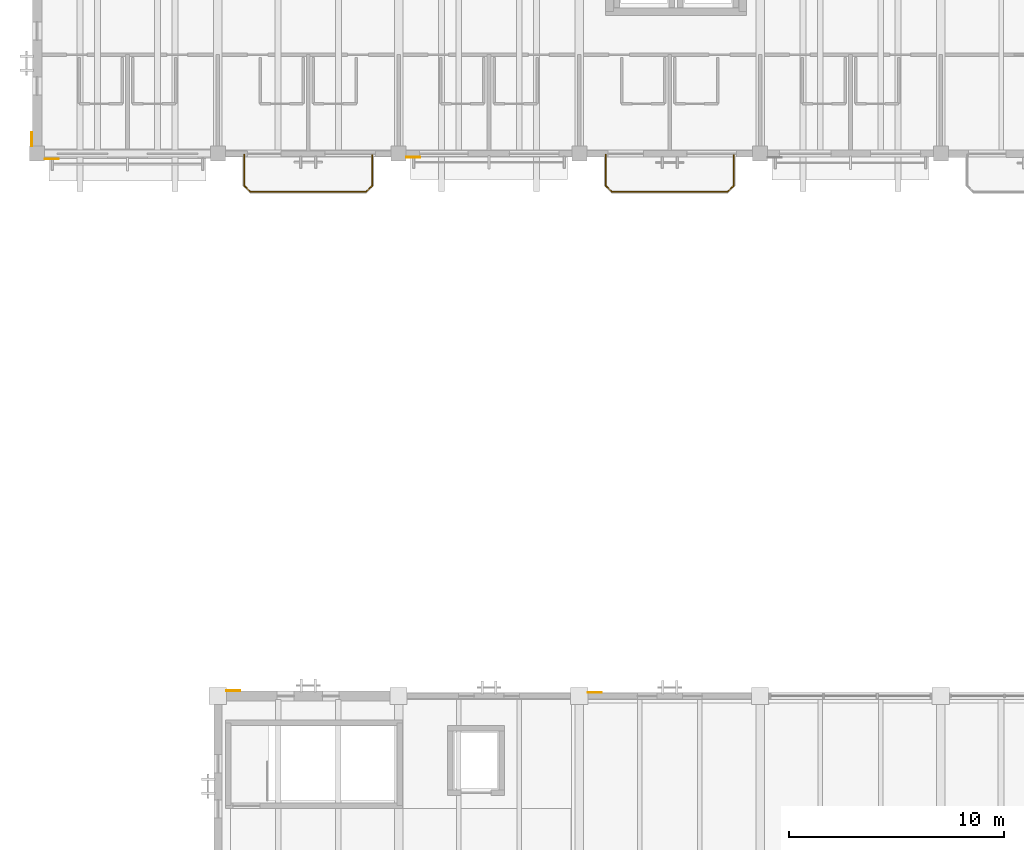
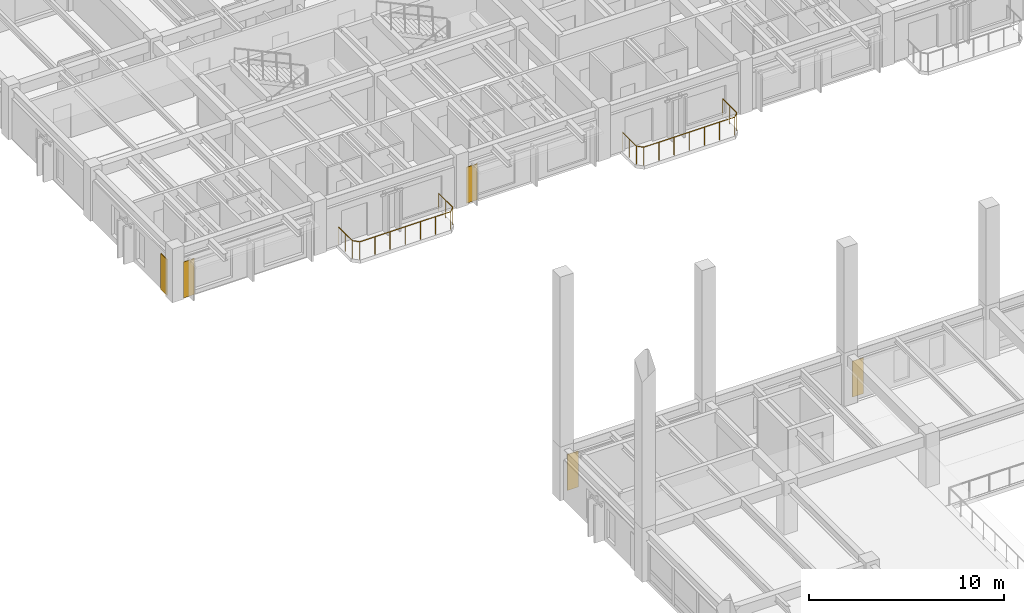
# One storey, part 58 of 64: 5 coverings, 2 railings.
"""IFC4 building model written with IfcOpenShell, lengths in metres."""

from ifc_helpers import new_model, si_unit, direction, frame, origin, origin_2d, place, context, subcontext, project, spatial, polyline, circle, outline, extrude, material, layer, layer_set, type_object, element, save


model = new_model("IFC4")

# Units and contexts
model_context = context("Model", 3, precision=1e-05, world=origin(), true_north=direction((0.0, 1.0)))
body_context = subcontext(model_context, "Body", "Model", "MODEL_VIEW")
ifc_project = project(units=[si_unit("LENGTHUNIT", "METRE"), si_unit("AREAUNIT", "SQUARE_METRE"), si_unit("VOLUMEUNIT", "CUBIC_METRE"), si_unit("PLANEANGLEUNIT", "RADIAN"), si_unit("MASSUNIT", "GRAM", prefix="KILO")], contexts=[model_context])

# Site, building, storey
site_placement = place(None, origin())
site = spatial("IfcSite", under=ifc_project, at=site_placement, CompositionType="ELEMENT")
building_placement = place(site_placement, origin())
building = spatial("IfcBuilding", under=site, at=building_placement, Name="Cumbredor Promenade Congress Hotel", CompositionType="ELEMENT")
storey_placement = place(building_placement, frame((0.0, 0.0, 18.47998046875)))
storey = spatial("IfcBuildingStorey", under=building, at=storey_placement, Name="L05", CompositionType="ELEMENT", Elevation=18.47998046875)

# Coverings
ifc_material_1 = material(Name="Precast concrete C40/50", Category="concrete")
ifc_layer_1 = layer(ifc_material_1, 0.044921875, Name="Precast concrete C40/50", Category="concrete")
ifc_layer_set_1 = layer_set([ifc_layer_1], Name="Precast concrete C40/50")
covering_type_1 = type_object("IfcCoveringType", Name="Board-Formed Architectural Cladding Panel 45mm", PredefinedType="CLADDING", material=ifc_layer_set_1)
covering_1_placement = place(storey_placement, origin())
element("IfcCovering", 1, at=covering_1_placement, inside=storey, type_object=covering_type_1, Name="L05 Facade Stone Cladding Pier 190", PredefinedType="CLADDING", context=body_context, shape_type="SweptSolid", body=[
    extrude(outline(polyline([(8.801025390625, 67.425048828125), (9.450927734375, 67.425048828125), (9.450927734375, 67.469970703125), (8.801025390625, 67.469970703125), (8.801025390625, 67.425048828125)])), origin(), (0.0, 0.0, 1.0), 2.25),
])
covering_2_placement = place(storey_placement, origin())
element("IfcCovering", 2, at=covering_2_placement, inside=storey, type_object=covering_type_1, Name="L05 Facade Stone Cladding Pier 198", PredefinedType="CLADDING", context=body_context, shape_type="SweptSolid", body=[
    extrude(outline(polyline([(17.15087890625, 92.260009765625), (17.801025390625, 92.260009765625), (17.801025390625, 92.215087890625), (17.15087890625, 92.215087890625), (17.15087890625, 92.260009765625)])), origin(), (0.0, 0.0, 1.0), 2.25),
])
covering_3_placement = place(storey_placement, origin())
element("IfcCovering", 3, at=covering_3_placement, inside=storey, type_object=covering_type_1, Name="L05 Facade Stone Cladding Pier 206", PredefinedType="CLADDING", context=body_context, shape_type="SweptSolid", body=[
    extrude(outline(polyline([(-0.22509765625, 92.7509765625), (-0.22509765625, 93.40087890625), (-0.27001953125, 93.40087890625), (-0.27001953125, 92.7509765625), (-0.22509765625, 92.7509765625)])), origin(), (0.0, 0.0, 1.0), 2.25),
])

# Railings
ifc_material_2 = material(Name="Brushed stainless steel", Category="steel")
railing_type_1 = type_object("IfcRailingType", Name="Sky Garden Glass-and-Steel Balustrade BAL-1150", PredefinedType="BALUSTRADE", material=ifc_material_2)
railing_1_placement = place(storey_placement, frame((26.429931640625, 92.35009765625, 0.0)))
element("IfcRailing", 4, at=railing_1_placement, inside=storey, type_object=railing_type_1, Name="L05 Veranda Balcony Balustrade 030", PredefinedType="BALUSTRADE", context=body_context, shape_type="SweptSolid", body=[
    extrude(circle(Radius=0.02392578125, at=origin_2d()), frame((0.0, 0.0, 1.1259765625), z_axis=(0.0, -1.0, 0.0), x_axis=(1.0, 0.0, 0.0)), (0.0, 0.0, 1.0), 1.440185546875),
    extrude(circle(Radius=0.02392578125, at=origin_2d()), frame((0.0, -1.440185546875, 1.1259765625), z_axis=(0.707106781187, -0.707106781187, 0.0), x_axis=(0.707106781187, 0.707106781187, 0.0)), (0.0, 0.0, 1.0), 0.39599609375),
    extrude(circle(Radius=0.02392578125, at=origin_2d()), frame((0.280029296875, -1.72021484375, 1.1259765625), z_axis=(1.0, 0.0, 0.0), x_axis=(0.0, 1.0, 0.0)), (0.0, 0.0, 1.0), 5.380126953125),
    extrude(circle(Radius=0.02392578125, at=origin_2d()), frame((5.66015625, -1.72021484375, 1.1259765625), z_axis=(0.707106781187, 0.707106781187, 0.0), x_axis=(-0.707106781187, 0.707106781187, 0.0)), (0.0, 0.0, 1.0), 0.39599609375),
    extrude(circle(Radius=0.02392578125, at=origin_2d()), frame((5.940185546875, -1.440185546875, 1.1259765625), z_axis=(0.0, 1.0, 0.0), x_axis=(-1.0, 0.0, 0.0)), (0.0, 0.0, 1.0), 1.440185546875),
    extrude(circle(Radius=0.02099609375, at=origin_2d()), origin(), (0.0, 0.0, 1.0), 1.101806640625),
    extrude(circle(Radius=0.02099609375, at=origin_2d()), frame((0.0, -0.72021484375, 0.0)), (0.0, 0.0, 1.0), 1.101806640625),
    extrude(circle(Radius=0.02099609375, at=origin_2d()), frame((0.0, -1.440185546875, 0.0)), (0.0, 0.0, 1.0), 1.101806640625),
    extrude(circle(Radius=0.02099609375, at=origin_2d()), frame((0.280029296875, -1.72021484375, 0.0)), (0.0, 0.0, 1.0), 1.101806640625),
    extrude(circle(Radius=0.02099609375, at=origin_2d()), frame((1.1767578125, -1.72021484375, 0.0)), (0.0, 0.0, 1.0), 1.101806640625),
    extrude(circle(Radius=0.02099609375, at=origin_2d()), frame((2.073486328125, -1.72021484375, 0.0)), (0.0, 0.0, 1.0), 1.101806640625),
    extrude(circle(Radius=0.02099609375, at=origin_2d()), frame((2.97021484375, -1.72021484375, 0.0)), (0.0, 0.0, 1.0), 1.101806640625),
    extrude(circle(Radius=0.02099609375, at=origin_2d()), frame((3.86669921875, -1.72021484375, 0.0)), (0.0, 0.0, 1.0), 1.101806640625),
    extrude(circle(Radius=0.02099609375, at=origin_2d()), frame((4.763427734375, -1.72021484375, 0.0)), (0.0, 0.0, 1.0), 1.101806640625),
    extrude(circle(Radius=0.02099609375, at=origin_2d()), frame((5.66015625, -1.72021484375, 0.0)), (0.0, 0.0, 1.0), 1.101806640625),
    extrude(circle(Radius=0.02099609375, at=origin_2d()), frame((5.940185546875, -1.440185546875, 0.0)), (0.0, 0.0, 1.0), 1.101806640625),
    extrude(circle(Radius=0.02099609375, at=origin_2d()), frame((5.940185546875, -0.72021484375, 0.0)), (0.0, 0.0, 1.0), 1.101806640625),
    extrude(circle(Radius=0.02099609375, at=origin_2d()), frame((5.940185546875, 0.0, 0.0)), (0.0, 0.0, 1.0), 1.101806640625),
])
railing_type_2 = type_object("IfcRailingType", Name="Terrace Perimeter Balustrade BAL-1120", PredefinedType="BALUSTRADE", material=ifc_material_2)
railing_2_placement = place(storey_placement, frame((9.6298828125, 92.35009765625, 0.0)))
element("IfcRailing", 5, at=railing_2_placement, inside=storey, type_object=railing_type_2, Name="L05 Veranda Balcony Balustrade 029", PredefinedType="BALUSTRADE", context=body_context, shape_type="SweptSolid", body=[
    extrude(circle(Radius=0.02392578125, at=origin_2d()), frame((0.0, 0.0, 1.09619140625), z_axis=(0.0, -1.0, 0.0), x_axis=(1.0, 0.0, 0.0)), (0.0, 0.0, 1.0), 1.440185546875),
    extrude(circle(Radius=0.02392578125, at=origin_2d()), frame((0.0, -1.440185546875, 1.09619140625), z_axis=(0.707106781187, -0.707106781187, 0.0), x_axis=(0.707106781187, 0.707106781187, 0.0)), (0.0, 0.0, 1.0), 0.39599609375),
    extrude(circle(Radius=0.02392578125, at=origin_2d()), frame((0.280029296875, -1.72021484375, 1.09619140625), z_axis=(1.0, 0.0, 0.0), x_axis=(0.0, 1.0, 0.0)), (0.0, 0.0, 1.0), 5.380126953125),
    extrude(circle(Radius=0.02392578125, at=origin_2d()), frame((5.66015625, -1.72021484375, 1.09619140625), z_axis=(0.707106781187, 0.707106781187, 0.0), x_axis=(-0.707106781187, 0.707106781187, 0.0)), (0.0, 0.0, 1.0), 0.39599609375),
    extrude(circle(Radius=0.02392578125, at=origin_2d()), frame((5.940185546875, -1.440185546875, 1.09619140625), z_axis=(0.0, 1.0, 0.0), x_axis=(-1.0, 0.0, 0.0)), (0.0, 0.0, 1.0), 1.440185546875),
    extrude(circle(Radius=0.02099609375, at=origin_2d()), origin(), (0.0, 0.0, 1.0), 1.072021484375),
    extrude(circle(Radius=0.02099609375, at=origin_2d()), frame((0.0, -0.72021484375, 0.0)), (0.0, 0.0, 1.0), 1.072021484375),
    extrude(circle(Radius=0.02099609375, at=origin_2d()), frame((0.0, -1.440185546875, 0.0)), (0.0, 0.0, 1.0), 1.072021484375),
    extrude(circle(Radius=0.02099609375, at=origin_2d()), frame((0.280029296875, -1.72021484375, 0.0)), (0.0, 0.0, 1.0), 1.072021484375),
    extrude(circle(Radius=0.02099609375, at=origin_2d()), frame((1.1767578125, -1.72021484375, 0.0)), (0.0, 0.0, 1.0), 1.072021484375),
    extrude(circle(Radius=0.02099609375, at=origin_2d()), frame((2.073486328125, -1.72021484375, 0.0)), (0.0, 0.0, 1.0), 1.072021484375),
    extrude(circle(Radius=0.02099609375, at=origin_2d()), frame((2.97021484375, -1.72021484375, 0.0)), (0.0, 0.0, 1.0), 1.072021484375),
    extrude(circle(Radius=0.02099609375, at=origin_2d()), frame((3.86669921875, -1.72021484375, 0.0)), (0.0, 0.0, 1.0), 1.072021484375),
    extrude(circle(Radius=0.02099609375, at=origin_2d()), frame((4.763427734375, -1.72021484375, 0.0)), (0.0, 0.0, 1.0), 1.072021484375),
    extrude(circle(Radius=0.02099609375, at=origin_2d()), frame((5.66015625, -1.72021484375, 0.0)), (0.0, 0.0, 1.0), 1.072021484375),
    extrude(circle(Radius=0.02099609375, at=origin_2d()), frame((5.940185546875, -1.440185546875, 0.0)), (0.0, 0.0, 1.0), 1.072021484375),
    extrude(circle(Radius=0.02099609375, at=origin_2d()), frame((5.940185546875, -0.72021484375, 0.0)), (0.0, 0.0, 1.0), 1.072021484375),
    extrude(circle(Radius=0.02099609375, at=origin_2d()), frame((5.940185546875, 0.0, 0.0)), (0.0, 0.0, 1.0), 1.072021484375),
])

# Coverings
ifc_material_3 = material(Name="Volcanic andesite ashlar cladding", Category="masonry")
ifc_layer_2 = layer(ifc_material_3, 0.034912109375, Name="Volcanic andesite ashlar cladding", Category="masonry")
ifc_layer_set_2 = layer_set([ifc_layer_2], Name="Volcanic andesite ashlar cladding")
covering_type_2 = type_object("IfcCoveringType", Name="Volcanic Andesite Ashlar Rainscreen Cladding 35mm", PredefinedType="CLADDING", material=ifc_layer_set_2)
covering_4_placement = place(storey_placement, origin())
element("IfcCovering", 6, at=covering_4_placement, inside=storey, type_object=covering_type_2, Name="L05 Facade Stone Cladding Pier 191", PredefinedType="CLADDING", context=body_context, shape_type="SweptSolid", body=[
    extrude(outline(polyline([(25.60107421875, 67.340087890625), (26.2509765625, 67.340087890625), (26.2509765625, 67.375), (25.60107421875, 67.375), (25.60107421875, 67.340087890625)])), origin(), (0.0, 0.0, 1.0), 2.25),
])
covering_5_placement = place(storey_placement, origin())
element("IfcCovering", 7, at=covering_5_placement, inside=storey, type_object=covering_type_2, Name="L05 Facade Stone Cladding Pier 197", PredefinedType="CLADDING", context=body_context, shape_type="SweptSolid", body=[
    extrude(outline(polyline([(0.35107421875, 92.175048828125), (1.0009765625, 92.175048828125), (1.0009765625, 92.139892578125), (0.35107421875, 92.139892578125), (0.35107421875, 92.175048828125)])), origin(), (0.0, 0.0, 1.0), 2.25),
])

save(model, "model.ifc")
